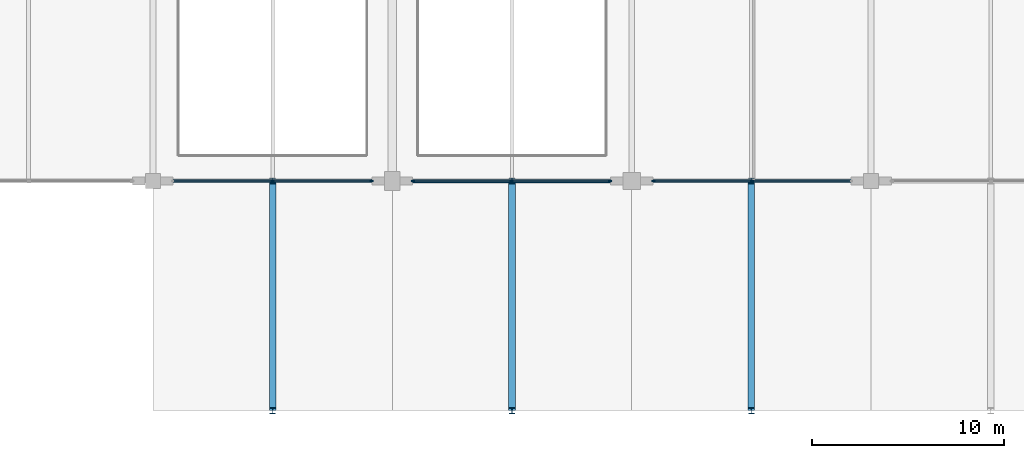
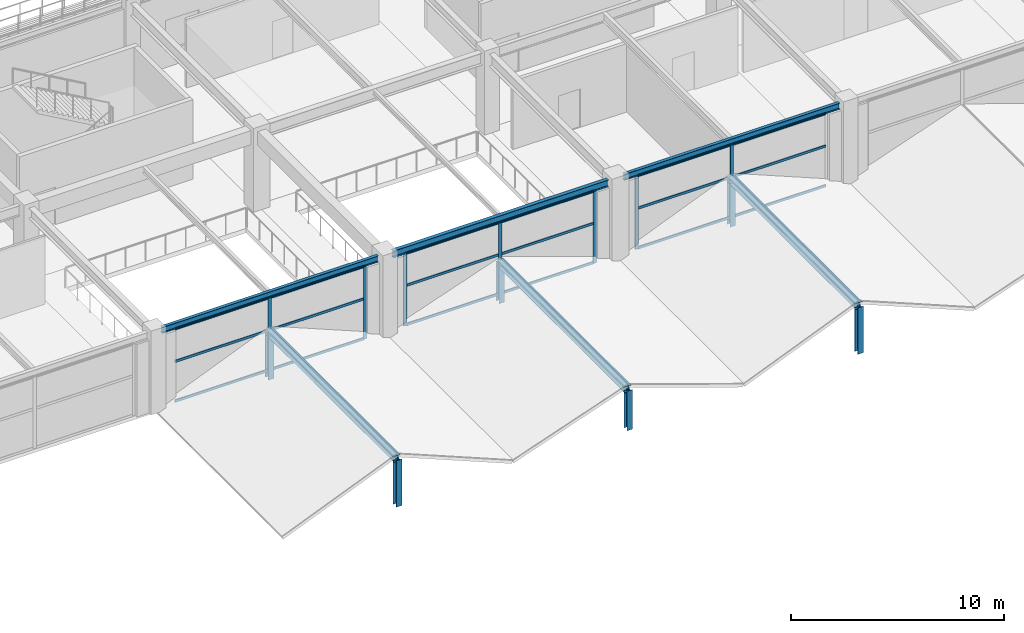
# One storey, part 29 of 134: 34 members, 3 beams, 3 elements without a shape of their own.
"""IFC4 building model written with IfcOpenShell, lengths in metres."""

from ifc_helpers import new_model, si_unit, direction, frame, origin, origin_2d, place, context, subcontext, project, spatial, rectangle, i_section, extrude, material, layer, layer_set, material_profile, profile_set, type_object, element, aggregate, save


model = new_model("IFC4")

# Units and contexts
model_context = context("Model", 3, precision=1e-05, world=origin(), true_north=direction((0.0, 1.0)))
body_context = subcontext(model_context, "Body", "Model", "MODEL_VIEW")
ifc_project = project(units=[si_unit("LENGTHUNIT", "METRE"), si_unit("AREAUNIT", "SQUARE_METRE"), si_unit("VOLUMEUNIT", "CUBIC_METRE"), si_unit("PLANEANGLEUNIT", "RADIAN"), si_unit("MASSUNIT", "GRAM", prefix="KILO")], contexts=[model_context])

# Site, building, storey
site_placement = place(None, origin())
site = spatial("IfcSite", under=ifc_project, at=site_placement, CompositionType="ELEMENT")
building_placement = place(site_placement, origin())
building = spatial("IfcBuilding", under=site, at=building_placement, Name="Kazenohara Klinker Stadium", CompositionType="ELEMENT")
storey_placement = place(building_placement, frame((0.0, 0.0, 5.39990234375)))
storey = spatial("IfcBuildingStorey", under=building, at=storey_placement, Name="L01", CompositionType="ELEMENT", Elevation=5.39990234375)

# Beams
ifc_material_1 = material(Name="Steel S355", Category="steel")
ifc_material_profile_1 = material_profile(ifc_material_1, i_section(OverallWidth=0.199951171875, OverallDepth=0.39990234375, WebThickness=0.008056640625, FlangeThickness=0.012939453125, FilletRadius=0.012939453125, at=origin_2d()), Name="H-400x200x8x13")
ifc_profile_set_1 = profile_set([ifc_material_profile_1], Name="Steel S355")
beam_type_1 = type_object("IfcBeamType", Name="BM-SPD01", PredefinedType="SPANDREL", material=ifc_profile_set_1)
beam_1_placement = place(storey_placement, frame((137.89990234375, 12.0, 4.35009765625), z_axis=(1.0, 0.0, 0.0), x_axis=(0.0, 1.0, 0.0)))
element("IfcBeam", 1, at=beam_1_placement, inside=storey, type_object=beam_type_1, Name="Primary girder SP01 L01 12-13/B", PredefinedType="SPANDREL", context=body_context, shape_type="SweptSolid", body=[
    extrude(i_section(OverallWidth=0.199951171875, OverallDepth=0.39990234375, WebThickness=0.008056640625, FlangeThickness=0.012939453125, FilletRadius=0.012939453125, at=origin_2d()), origin(), (0.0, 0.0, 1.0), 11.68017578125),
])
ifc_material_profile_2 = material_profile(ifc_material_1, i_section(OverallWidth=0.175048828125, OverallDepth=0.35009765625, WebThickness=0.007080078125, FlangeThickness=0.010986328125, FilletRadius=0.012939453125, at=origin_2d()), Name="H-350x175x7x11")
ifc_profile_set_2 = profile_set([ifc_material_profile_2], Name="Steel S355")
beam_type_2 = type_object("IfcBeamType", Name="BM-SPD02", PredefinedType="SPANDREL", material=ifc_profile_set_2)
beam_2_placement = place(storey_placement, frame((125.39990234375, 12.0, 4.375), z_axis=(1.0, 0.0, 0.0), x_axis=(0.0, 1.0, 0.0)))
element("IfcBeam", 2, at=beam_2_placement, inside=storey, type_object=beam_type_2, Name="Primary girder SP02 L01 11-12/B", PredefinedType="SPANDREL", context=body_context, shape_type="SweptSolid", body=[
    extrude(i_section(OverallWidth=0.175048828125, OverallDepth=0.35009765625, WebThickness=0.007080078125, FlangeThickness=0.010986328125, FilletRadius=0.012939453125, at=origin_2d()), origin(), (0.0, 0.0, 1.0), 11.7001953125),
])
beam_3_placement = place(storey_placement, frame((150.419921875, 12.0, 4.375), z_axis=(1.0, 0.0, 0.0), x_axis=(0.0, 1.0, 0.0)))
element("IfcBeam", 3, at=beam_3_placement, inside=storey, type_object=beam_type_2, Name="Primary girder SP02 L01 13-14/B", PredefinedType="SPANDREL", context=body_context, shape_type="SweptSolid", body=[
    extrude(i_section(OverallWidth=0.175048828125, OverallDepth=0.35009765625, WebThickness=0.007080078125, FlangeThickness=0.010986328125, FilletRadius=0.012939453125, at=origin_2d()), origin(), (0.0, 0.0, 1.0), 11.68017578125),
])

# Curtain wall, members
ifc_material_2 = material(Name="Anodised aluminium and triple glazing", Category="aluminium")
ifc_layer_1 = layer(ifc_material_2, 0.18994140625)
ifc_layer_set_1 = layer_set([ifc_layer_1], Name="Anodised aluminium and triple glazing")
curtain_wall_type_1 = type_object("IfcCurtainWallType", Name="CW-SYS-05", PredefinedType="USERDEFINED", material=ifc_layer_set_1)
curtain_wall_1_placement = place(storey_placement, origin())
curtain_wall_1 = element("IfcCurtainWall", 4, at=curtain_wall_1_placement, inside=storey, type_object=curtain_wall_type_1, Name="Unitised facade curtain wall CW05 L01 X10-1", ObjectType="UNITISED CURTAIN WALL", PredefinedType="USERDEFINED")
ifc_material_3 = material(Name="Anodised aluminium 6063-T6", Category="aluminium")
ifc_material_profile_3 = material_profile(ifc_material_3, rectangle(XDim=0.06494140625, YDim=0.179931640625, at=origin_2d()), Name="ALU-MUL-65x180")
ifc_profile_set_3 = profile_set([ifc_material_profile_3], Name="Anodised aluminium 6063-T6")
member_type_1 = type_object("IfcMemberType", Name="CW-MUL-180", PredefinedType="MULLION", material=ifc_profile_set_3)
member_1_placement = place(storey_placement, frame((131.25, 12.0, 0.0), z_axis=(0.0, 0.0, 1.0), x_axis=(0.0, 1.0, 0.0)))
member_1 = element("IfcMember", 5, at=member_1_placement, type_object=member_type_1, Name="CW05 mullion 2", PredefinedType="MULLION", context=body_context, shape_type="SweptSolid", body=[
    extrude(rectangle(XDim=0.06494140625, YDim=0.179931640625, at=origin_2d()), origin(), (0.0, 0.0, 1.0), 4.2001953125),
])
member_2_placement = place(storey_placement, frame((136.41357421875, 12.0, 0.0), z_axis=(0.0, 0.0, 1.0), x_axis=(0.0, 1.0, 0.0)))
member_2 = element("IfcMember", 6, at=member_2_placement, type_object=member_type_1, Name="CW05 mullion 3", PredefinedType="MULLION", context=body_context, shape_type="SweptSolid", body=[
    extrude(rectangle(XDim=0.06494140625, YDim=0.179931640625, at=origin_2d()), origin(), (0.0, 0.0, 1.0), 4.2001953125),
])

ifc_layer_2 = layer(ifc_material_2, 0.179931640625)
ifc_layer_set_2 = layer_set([ifc_layer_2], Name="Anodised aluminium and triple glazing")
curtain_wall_type_2 = type_object("IfcCurtainWallType", Name="CW-SYS-02", PredefinedType="USERDEFINED", material=ifc_layer_set_2)
curtain_wall_2_placement = place(storey_placement, origin())
curtain_wall_2 = element("IfcCurtainWall", 7, at=curtain_wall_2_placement, inside=storey, type_object=curtain_wall_type_2, Name="Unitised facade curtain wall CW02 L01 X11-1", ObjectType="UNITISED CURTAIN WALL", PredefinedType="USERDEFINED")
member_3_placement = place(storey_placement, frame((138.58642578125, 12.0, 0.0), z_axis=(0.0, 0.0, 1.0), x_axis=(0.0, 1.0, 0.0)))
member_3 = element("IfcMember", 8, at=member_3_placement, type_object=member_type_1, Name="CW02 mullion 1", PredefinedType="MULLION", context=body_context, shape_type="SweptSolid", body=[
    extrude(rectangle(XDim=0.06494140625, YDim=0.179931640625, at=origin_2d()), origin(), (0.0, 0.0, 1.0), 4.150146484375),
])
member_4_placement = place(storey_placement, frame((143.72509765625, 12.0, 0.0), z_axis=(0.0, 0.0, 1.0), x_axis=(0.0, 1.0, 0.0)))
member_4 = element("IfcMember", 9, at=member_4_placement, type_object=member_type_1, Name="CW02 mullion 2", PredefinedType="MULLION", context=body_context, shape_type="SweptSolid", body=[
    extrude(rectangle(XDim=0.06494140625, YDim=0.179931640625, at=origin_2d()), origin(), (0.0, 0.0, 1.0), 4.150146484375),
])
member_5_placement = place(storey_placement, frame((148.863525390625, 12.0, 0.0), z_axis=(0.0, 0.0, 1.0), x_axis=(0.0, 1.0, 0.0)))
member_5 = element("IfcMember", 10, at=member_5_placement, type_object=member_type_1, Name="CW02 mullion 3", PredefinedType="MULLION", context=body_context, shape_type="SweptSolid", body=[
    extrude(rectangle(XDim=0.06494140625, YDim=0.179931640625, at=origin_2d()), origin(), (0.0, 0.0, 1.0), 4.150146484375),
])

ifc_layer_3 = layer(ifc_material_2, 0.169921875)
ifc_layer_set_3 = layer_set([ifc_layer_3], Name="Anodised aluminium and triple glazing")
curtain_wall_type_3 = type_object("IfcCurtainWallType", Name="CW-SYS-04", PredefinedType="USERDEFINED", material=ifc_layer_set_3)
curtain_wall_3_placement = place(storey_placement, origin())
curtain_wall_3 = element("IfcCurtainWall", 11, at=curtain_wall_3_placement, inside=storey, type_object=curtain_wall_type_3, Name="Unitised facade curtain wall CW04 L01 X12-1", ObjectType="UNITISED CURTAIN WALL", PredefinedType="USERDEFINED")
member_6_placement = place(storey_placement, frame((151.136474609375, 12.0, 0.0), z_axis=(0.0, 0.0, 1.0), x_axis=(0.0, 1.0, 0.0)))
member_6 = element("IfcMember", 12, at=member_6_placement, type_object=member_type_1, Name="CW04 mullion 1", PredefinedType="MULLION", context=body_context, shape_type="SweptSolid", body=[
    extrude(rectangle(XDim=0.06494140625, YDim=0.179931640625, at=origin_2d()), origin(), (0.0, 0.0, 1.0), 4.2001953125),
])
member_7_placement = place(storey_placement, frame((156.27490234375, 12.0, 0.0), z_axis=(0.0, 0.0, 1.0), x_axis=(0.0, 1.0, 0.0)))
member_7 = element("IfcMember", 13, at=member_7_placement, type_object=member_type_1, Name="CW04 mullion 2", PredefinedType="MULLION", context=body_context, shape_type="SweptSolid", body=[
    extrude(rectangle(XDim=0.06494140625, YDim=0.179931640625, at=origin_2d()), origin(), (0.0, 0.0, 1.0), 4.2001953125),
])

# Member
ifc_material_profile_4 = material_profile(ifc_material_3, rectangle(XDim=0.06494140625, YDim=0.139892578125, at=origin_2d()), Name="ALU-TRN-65x140")
ifc_profile_set_4 = profile_set([ifc_material_profile_4], Name="Anodised aluminium 6063-T6")
member_type_2 = type_object("IfcMemberType", Name="CW-TRN-140", PredefinedType="USERDEFINED", material=ifc_profile_set_4)
member_8_placement = place(storey_placement, frame((126.118896484375, 12.0, 0.03271484375), z_axis=(1.0, 0.0, 0.0), x_axis=(0.0, 1.0, 0.0)))
member_8 = element("IfcMember", 14, at=member_8_placement, type_object=member_type_2, Name="CW05 transom 1.1", ObjectType="TRANSOM", PredefinedType="USERDEFINED", context=body_context, shape_type="SweptSolid", body=[
    extrude(rectangle(XDim=0.06494140625, YDim=0.139892578125, at=origin_2d()), origin(), (0.0, 0.0, 1.0), 5.0986328125),
])

member_9_placement = place(storey_placement, frame((126.118896484375, 12.0, 2.31005859375), z_axis=(1.0, 0.0, 0.0), x_axis=(0.0, 1.0, 0.0)))
member_9 = element("IfcMember", 15, at=member_9_placement, type_object=member_type_2, Name="CW05 transom 1.2", ObjectType="TRANSOM", PredefinedType="USERDEFINED", context=body_context, shape_type="SweptSolid", body=[
    extrude(rectangle(XDim=0.06494140625, YDim=0.139892578125, at=origin_2d()), origin(), (0.0, 0.0, 1.0), 5.0986328125),
])

member_10_placement = place(storey_placement, frame((126.118896484375, 12.0, 4.16748046875), z_axis=(1.0, 0.0, 0.0), x_axis=(0.0, 1.0, 0.0)))
member_10 = element("IfcMember", 16, at=member_10_placement, type_object=member_type_2, Name="CW05 transom 1.3", ObjectType="TRANSOM", PredefinedType="USERDEFINED", context=body_context, shape_type="SweptSolid", body=[
    extrude(rectangle(XDim=0.06494140625, YDim=0.139892578125, at=origin_2d()), origin(), (0.0, 0.0, 1.0), 5.0986328125),
])

member_11_placement = place(storey_placement, frame((131.282470703125, 12.0, 0.03271484375), z_axis=(1.0, 0.0, 0.0), x_axis=(0.0, 1.0, 0.0)))
member_11 = element("IfcMember", 17, at=member_11_placement, type_object=member_type_2, Name="CW05 transom 2.1", ObjectType="TRANSOM", PredefinedType="USERDEFINED", context=body_context, shape_type="SweptSolid", body=[
    extrude(rectangle(XDim=0.06494140625, YDim=0.139892578125, at=origin_2d()), origin(), (0.0, 0.0, 1.0), 5.0986328125),
])

member_12_placement = place(storey_placement, frame((131.282470703125, 12.0, 2.31005859375), z_axis=(1.0, 0.0, 0.0), x_axis=(0.0, 1.0, 0.0)))
member_12 = element("IfcMember", 18, at=member_12_placement, type_object=member_type_2, Name="CW05 transom 2.2", ObjectType="TRANSOM", PredefinedType="USERDEFINED", context=body_context, shape_type="SweptSolid", body=[
    extrude(rectangle(XDim=0.06494140625, YDim=0.139892578125, at=origin_2d()), origin(), (0.0, 0.0, 1.0), 5.0986328125),
])

member_13_placement = place(storey_placement, frame((131.282470703125, 12.0, 4.16748046875), z_axis=(1.0, 0.0, 0.0), x_axis=(0.0, 1.0, 0.0)))
member_13 = element("IfcMember", 19, at=member_13_placement, type_object=member_type_2, Name="CW05 transom 2.3", ObjectType="TRANSOM", PredefinedType="USERDEFINED", context=body_context, shape_type="SweptSolid", body=[
    extrude(rectangle(XDim=0.06494140625, YDim=0.139892578125, at=origin_2d()), origin(), (0.0, 0.0, 1.0), 5.0986328125),
])

aggregate(curtain_wall_1, [member_1, member_2, member_8, member_9, member_10, member_11, member_12, member_13])

member_14_placement = place(storey_placement, frame((138.618896484375, 12.0, 0.03271484375), z_axis=(1.0, 0.0, 0.0), x_axis=(0.0, 1.0, 0.0)))
member_14 = element("IfcMember", 20, at=member_14_placement, type_object=member_type_2, Name="CW02 transom 1.1", ObjectType="TRANSOM", PredefinedType="USERDEFINED", context=body_context, shape_type="SweptSolid", body=[
    extrude(rectangle(XDim=0.06494140625, YDim=0.139892578125, at=origin_2d()), origin(), (0.0, 0.0, 1.0), 5.073486328125),
])

member_15_placement = place(storey_placement, frame((138.618896484375, 12.0, 2.28271484375), z_axis=(1.0, 0.0, 0.0), x_axis=(0.0, 1.0, 0.0)))
member_15 = element("IfcMember", 21, at=member_15_placement, type_object=member_type_2, Name="CW02 transom 1.2", ObjectType="TRANSOM", PredefinedType="USERDEFINED", context=body_context, shape_type="SweptSolid", body=[
    extrude(rectangle(XDim=0.06494140625, YDim=0.139892578125, at=origin_2d()), origin(), (0.0, 0.0, 1.0), 5.073486328125),
])

member_16_placement = place(storey_placement, frame((138.618896484375, 12.0, 4.11767578125), z_axis=(1.0, 0.0, 0.0), x_axis=(0.0, 1.0, 0.0)))
member_16 = element("IfcMember", 22, at=member_16_placement, type_object=member_type_2, Name="CW02 transom 1.3", ObjectType="TRANSOM", PredefinedType="USERDEFINED", context=body_context, shape_type="SweptSolid", body=[
    extrude(rectangle(XDim=0.06494140625, YDim=0.139892578125, at=origin_2d()), origin(), (0.0, 0.0, 1.0), 5.073486328125),
])

member_17_placement = place(storey_placement, frame((143.757568359375, 12.0, 0.03271484375), z_axis=(1.0, 0.0, 0.0), x_axis=(0.0, 1.0, 0.0)))
member_17 = element("IfcMember", 23, at=member_17_placement, type_object=member_type_2, Name="CW02 transom 2.1", ObjectType="TRANSOM", PredefinedType="USERDEFINED", context=body_context, shape_type="SweptSolid", body=[
    extrude(rectangle(XDim=0.06494140625, YDim=0.139892578125, at=origin_2d()), origin(), (0.0, 0.0, 1.0), 5.073486328125),
])

member_18_placement = place(storey_placement, frame((143.757568359375, 12.0, 2.28271484375), z_axis=(1.0, 0.0, 0.0), x_axis=(0.0, 1.0, 0.0)))
member_18 = element("IfcMember", 24, at=member_18_placement, type_object=member_type_2, Name="CW02 transom 2.2", ObjectType="TRANSOM", PredefinedType="USERDEFINED", context=body_context, shape_type="SweptSolid", body=[
    extrude(rectangle(XDim=0.06494140625, YDim=0.139892578125, at=origin_2d()), origin(), (0.0, 0.0, 1.0), 5.073486328125),
])

member_19_placement = place(storey_placement, frame((143.757568359375, 12.0, 4.11767578125), z_axis=(1.0, 0.0, 0.0), x_axis=(0.0, 1.0, 0.0)))
member_19 = element("IfcMember", 25, at=member_19_placement, type_object=member_type_2, Name="CW02 transom 2.3", ObjectType="TRANSOM", PredefinedType="USERDEFINED", context=body_context, shape_type="SweptSolid", body=[
    extrude(rectangle(XDim=0.06494140625, YDim=0.139892578125, at=origin_2d()), origin(), (0.0, 0.0, 1.0), 5.073486328125),
])

aggregate(curtain_wall_2, [member_3, member_4, member_5, member_14, member_15, member_16, member_17, member_18, member_19])

member_20_placement = place(storey_placement, frame((151.1689453125, 12.0, 0.03271484375), z_axis=(1.0, 0.0, 0.0), x_axis=(0.0, 1.0, 0.0)))
member_20 = element("IfcMember", 26, at=member_20_placement, type_object=member_type_2, Name="CW04 transom 1.1", ObjectType="TRANSOM", PredefinedType="USERDEFINED", context=body_context, shape_type="SweptSolid", body=[
    extrude(rectangle(XDim=0.06494140625, YDim=0.139892578125, at=origin_2d()), origin(), (0.0, 0.0, 1.0), 5.073486328125),
])

member_21_placement = place(storey_placement, frame((151.1689453125, 12.0, 2.31005859375), z_axis=(1.0, 0.0, 0.0), x_axis=(0.0, 1.0, 0.0)))
member_21 = element("IfcMember", 27, at=member_21_placement, type_object=member_type_2, Name="CW04 transom 1.2", ObjectType="TRANSOM", PredefinedType="USERDEFINED", context=body_context, shape_type="SweptSolid", body=[
    extrude(rectangle(XDim=0.06494140625, YDim=0.139892578125, at=origin_2d()), origin(), (0.0, 0.0, 1.0), 5.073486328125),
])

member_22_placement = place(storey_placement, frame((151.1689453125, 12.0, 4.16748046875), z_axis=(1.0, 0.0, 0.0), x_axis=(0.0, 1.0, 0.0)))
member_22 = element("IfcMember", 28, at=member_22_placement, type_object=member_type_2, Name="CW04 transom 1.3", ObjectType="TRANSOM", PredefinedType="USERDEFINED", context=body_context, shape_type="SweptSolid", body=[
    extrude(rectangle(XDim=0.06494140625, YDim=0.139892578125, at=origin_2d()), origin(), (0.0, 0.0, 1.0), 5.073486328125),
])

member_23_placement = place(storey_placement, frame((156.3076171875, 12.0, 0.03271484375), z_axis=(1.0, 0.0, 0.0), x_axis=(0.0, 1.0, 0.0)))
member_23 = element("IfcMember", 29, at=member_23_placement, type_object=member_type_2, Name="CW04 transom 2.1", ObjectType="TRANSOM", PredefinedType="USERDEFINED", context=body_context, shape_type="SweptSolid", body=[
    extrude(rectangle(XDim=0.06494140625, YDim=0.139892578125, at=origin_2d()), origin(), (0.0, 0.0, 1.0), 5.073486328125),
])

member_24_placement = place(storey_placement, frame((156.3076171875, 12.0, 2.31005859375), z_axis=(1.0, 0.0, 0.0), x_axis=(0.0, 1.0, 0.0)))
member_24 = element("IfcMember", 30, at=member_24_placement, type_object=member_type_2, Name="CW04 transom 2.2", ObjectType="TRANSOM", PredefinedType="USERDEFINED", context=body_context, shape_type="SweptSolid", body=[
    extrude(rectangle(XDim=0.06494140625, YDim=0.139892578125, at=origin_2d()), origin(), (0.0, 0.0, 1.0), 5.073486328125),
])

member_25_placement = place(storey_placement, frame((156.3076171875, 12.0, 4.16748046875), z_axis=(1.0, 0.0, 0.0), x_axis=(0.0, 1.0, 0.0)))
member_25 = element("IfcMember", 31, at=member_25_placement, type_object=member_type_2, Name="CW04 transom 2.3", ObjectType="TRANSOM", PredefinedType="USERDEFINED", context=body_context, shape_type="SweptSolid", body=[
    extrude(rectangle(XDim=0.06494140625, YDim=0.139892578125, at=origin_2d()), origin(), (0.0, 0.0, 1.0), 5.073486328125),
])

aggregate(curtain_wall_3, [member_6, member_7, member_20, member_21, member_22, member_23, member_24, member_25])

# Members
ifc_material_profile_5 = material_profile(ifc_material_1, i_section(OverallWidth=0.35009765625, OverallDepth=0.35009765625, WebThickness=0.011962890625, FlangeThickness=0.01904296875, FilletRadius=0.012939453125, at=origin_2d()), Name="H-350x350x12x19")
ifc_profile_set_5 = profile_set([ifc_material_profile_5], Name="Steel S355")
member_type_3 = type_object("IfcMemberType", Name="MEM-CHD02", PredefinedType="CHORD", material=ifc_profile_set_5)
for number, where, z_axis, x_axis, name in (
    (32, (131.25, 0.0, 2.22998046875), (0.0, 1.0, 0.0), (-1.0, 0.0, 0.0), "Stepped pavilion gable ridge beam L01 11/A"),
    (33, (143.75, 0.0, 1.830078125), (0.0, 1.0, 0.0), (-1.0, 0.0, 0.0), "Stepped pavilion gable ridge beam L01 12/A"),
    (34, (156.25, 0.0, 2.22998046875), (0.0, 1.0, 0.0), (-1.0, 0.0, 0.0), "Stepped pavilion gable ridge beam L01 13/A"),
):
    element("IfcMember", number, at=place(storey_placement, frame(where, z_axis=z_axis, x_axis=x_axis)), inside=storey, type_object=member_type_3, Name=name, PredefinedType="CHORD", context=body_context, shape_type="SweptSolid", body=[
        extrude(i_section(OverallWidth=0.35009765625, OverallDepth=0.35009765625, WebThickness=0.011962890625, FlangeThickness=0.01904296875, FilletRadius=0.012939453125, at=origin_2d()), origin(), (0.0, 0.0, 1.0), 12.0),
    ])
ifc_material_profile_6 = material_profile(ifc_material_1, i_section(OverallWidth=0.300048828125, OverallDepth=0.300048828125, WebThickness=0.010009765625, FlangeThickness=0.014892578125, FilletRadius=0.012939453125, at=origin_2d()), Name="H-300x300x10x15")
ifc_profile_set_6 = profile_set([ifc_material_profile_6], Name="Steel S355")
member_type_4 = type_object("IfcMemberType", Name="MEM-STR01", PredefinedType="STRUT", material=ifc_profile_set_6)
for number, where, z_axis, x_axis, name in (
    (35, (131.25, 0.0, -0.429931640625), (0.0, 0.0, 1.0), (1.0, 0.0, 0.0), "Stepped pavilion gable king-post L01 11/A S"),
    (36, (131.25, 12.0, -0.429931640625), (0.0, 0.0, 1.0), (1.0, 0.0, 0.0), "Stepped pavilion gable king-post L01 11/A N"),
):
    element("IfcMember", number, at=place(storey_placement, frame(where, z_axis=z_axis, x_axis=x_axis)), inside=storey, type_object=member_type_4, Name=name, PredefinedType="STRUT", context=body_context, shape_type="SweptSolid", body=[
        extrude(i_section(OverallWidth=0.300048828125, OverallDepth=0.300048828125, WebThickness=0.010009765625, FlangeThickness=0.014892578125, FilletRadius=0.012939453125, at=origin_2d()), origin(), (0.0, 0.0, 1.0), 2.659912109375),
    ])
for number, where, z_axis, x_axis, name in (
    (37, (143.75, 0.0, -0.429931640625), (0.0, 0.0, 1.0), (1.0, 0.0, 0.0), "Stepped pavilion gable king-post L01 12/A S"),
    (38, (143.75, 12.0, -0.429931640625), (0.0, 0.0, 1.0), (1.0, 0.0, 0.0), "Stepped pavilion gable king-post L01 12/A N"),
):
    element("IfcMember", number, at=place(storey_placement, frame(where, z_axis=z_axis, x_axis=x_axis)), inside=storey, type_object=member_type_4, Name=name, PredefinedType="STRUT", context=body_context, shape_type="SweptSolid", body=[
        extrude(i_section(OverallWidth=0.300048828125, OverallDepth=0.300048828125, WebThickness=0.010009765625, FlangeThickness=0.014892578125, FilletRadius=0.012939453125, at=origin_2d()), origin(), (0.0, 0.0, 1.0), 2.260009765625),
    ])
for number, where, z_axis, x_axis, name in (
    (39, (156.25, 0.0, -0.429931640625), (0.0, 0.0, 1.0), (1.0, 0.0, 0.0), "Stepped pavilion gable king-post L01 13/A S"),
    (40, (156.25, 12.0, -0.429931640625), (0.0, 0.0, 1.0), (1.0, 0.0, 0.0), "Stepped pavilion gable king-post L01 13/A N"),
):
    element("IfcMember", number, at=place(storey_placement, frame(where, z_axis=z_axis, x_axis=x_axis)), inside=storey, type_object=member_type_4, Name=name, PredefinedType="STRUT", context=body_context, shape_type="SweptSolid", body=[
        extrude(i_section(OverallWidth=0.300048828125, OverallDepth=0.300048828125, WebThickness=0.010009765625, FlangeThickness=0.014892578125, FilletRadius=0.012939453125, at=origin_2d()), origin(), (0.0, 0.0, 1.0), 2.659912109375),
    ])

save(model, "model.ifc")
